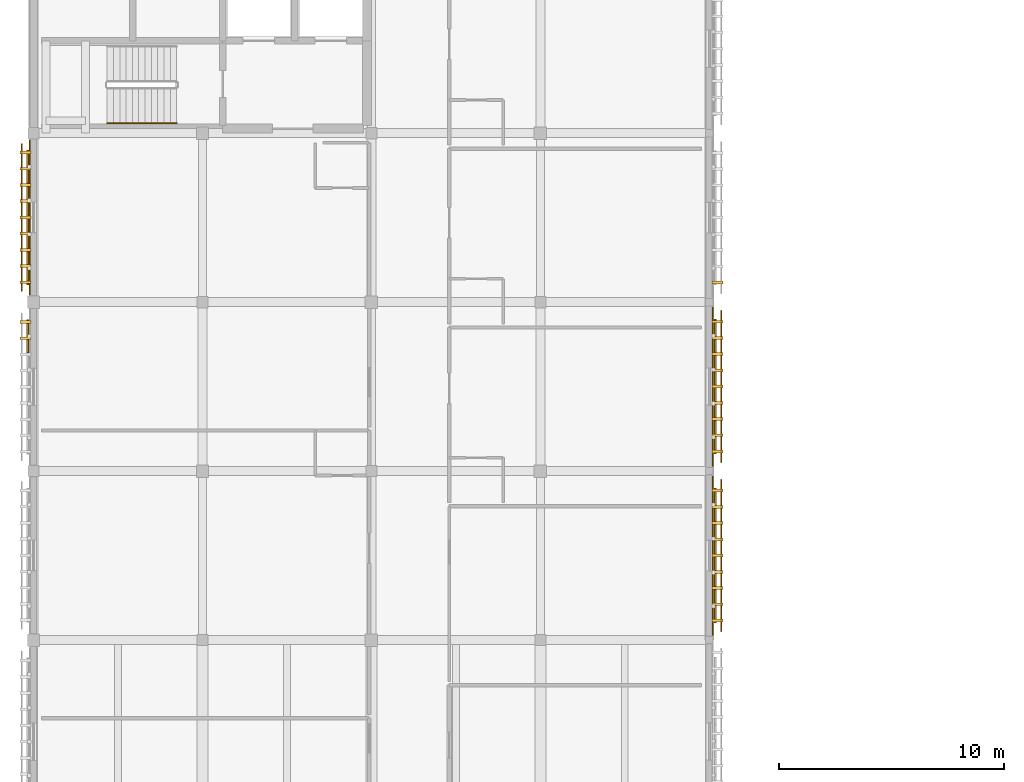
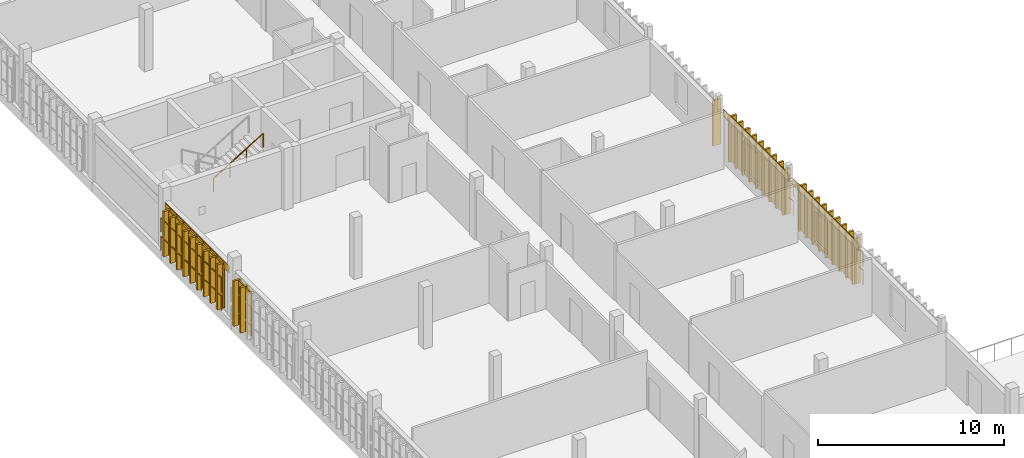
# One storey, part 15 of 17: 33 coverings, 13 shading devices, 7 railings.
"""IFC4 building model written with IfcOpenShell, lengths in metres."""

from ifc_helpers import new_model, si_unit, direction, frame, origin, origin_2d, place, context, subcontext, project, spatial, rectangle, circle, extrude, material, layer, layer_set, type_object, element, save


model = new_model("IFC4")

# Units and contexts
model_context = context("Model", 3, precision=1e-05, world=origin(), true_north=direction((0.0, 1.0)))
body_context = subcontext(model_context, "Body", "Model", "MODEL_VIEW")
ifc_project = project(units=[si_unit("LENGTHUNIT", "METRE"), si_unit("AREAUNIT", "SQUARE_METRE"), si_unit("VOLUMEUNIT", "CUBIC_METRE"), si_unit("PLANEANGLEUNIT", "RADIAN"), si_unit("MASSUNIT", "GRAM", prefix="KILO")], contexts=[model_context])

# Site, building, storey
site_placement = place(None, origin())
site = spatial("IfcSite", under=ifc_project, at=site_placement, CompositionType="ELEMENT")
building_placement = place(site_placement, origin())
building = spatial("IfcBuilding", under=site, at=building_placement, Name="Dalvernix Boulevard General Hospital", CompositionType="ELEMENT")
storey_placement = place(building_placement, frame((0.0, 0.0, 25.949951171875)))
storey = spatial("IfcBuildingStorey", under=building, at=storey_placement, Name="L06", CompositionType="ELEMENT", Elevation=25.949951171875)

# Coverings
ifc_material_1 = material(Name="Polychrome Catalan glazed ceramic spandrel tile panel")
ifc_layer_1 = layer(ifc_material_1, 0.044921875)
ifc_layer_set_1 = layer_set([ifc_layer_1], Name="Polychrome Catalan glazed ceramic spandrel tile panel (COV-CLD-01)")
covering_type_1 = type_object("IfcCoveringType", Name="COV-CLD-01", PredefinedType="CLADDING", material=ifc_layer_set_1)
covering_placement = place(storey_placement, frame((-0.159912109375, 50.262451171875, 2.6953125), z_axis=(0.0, 0.0, 1.0), x_axis=(0.0, 1.0, 0.0)))
element("IfcCovering", 1, at=covering_placement, inside=storey, type_object=covering_type_1, Name="L06 polychrome ceramic spandrel W 0-6", PredefinedType="CLADDING", context=body_context, shape_type="SweptSolid", body=[
    extrude(rectangle(XDim=6.85498046875, YDim=0.044921875, at=origin_2d()), origin(), (0.0, 0.0, 1.0), 0.449951171875),
])
for number, where, z_axis, x_axis, name in (
    (2, (30.159912109375, 35.25, 2.6953125), (0.0, 0.0, 1.0), (0.0, -1.0, 0.0), "L06 polychrome ceramic spandrel E 4-4"),
    (3, (30.159912109375, 42.75, 2.6953125), (0.0, 0.0, 1.0), (0.0, -1.0, 0.0), "L06 polychrome ceramic spandrel E 4-5"),
):
    element("IfcCovering", number, at=place(storey_placement, frame(where, z_axis=z_axis, x_axis=x_axis)), inside=storey, type_object=covering_type_1, Name=name, PredefinedType="CLADDING", context=body_context, shape_type="SweptSolid", body=[
        extrude(rectangle(XDim=7.06005859375, YDim=0.044921875, at=origin_2d()), origin(), (0.0, 0.0, 1.0), 0.449951171875),
    ])
ifc_material_2 = material(Name="Preservative-treated West African iroko timber lattice screen", Category="wood")
ifc_layer_2 = layer(ifc_material_2, 0.1201171875)
ifc_layer_set_2 = layer_set([ifc_layer_2], Name="Preservative-treated West African iroko timber lattice screen (COV-TSCR-01)")
covering_type_2 = type_object("IfcCoveringType", Name="COV-TSCR-01", PredefinedType="CLADDING", material=ifc_layer_set_2)
for number, where, z_axis, x_axis, name in (
    (4, (-0.360107421875, 44.8974609375, 0.10009765625), (0.0, 0.0, 1.0), (0.0, 1.0, 0.0), "L06 upper-ward timber screen blade W 0-5-8"),
    (5, (-0.360107421875, 45.617431640625, 0.10009765625), (0.0, 0.0, 1.0), (0.0, 1.0, 0.0), "L06 upper-ward timber screen blade W 0-5-9"),
    (6, (-0.360107421875, 47.382568359375, 0.10009765625), (0.0, 0.0, 1.0), (0.0, 1.0, 0.0), "L06 upper-ward timber screen blade W 0-6-1"),
    (7, (-0.360107421875, 48.1025390625, 0.10009765625), (0.0, 0.0, 1.0), (0.0, 1.0, 0.0), "L06 upper-ward timber screen blade W 0-6-2"),
    (8, (-0.360107421875, 48.822509765625, 0.10009765625), (0.0, 0.0, 1.0), (0.0, 1.0, 0.0), "L06 upper-ward timber screen blade W 0-6-3"),
    (9, (-0.360107421875, 49.54248046875, 0.10009765625), (0.0, 0.0, 1.0), (0.0, 1.0, 0.0), "L06 upper-ward timber screen blade W 0-6-4"),
    (10, (-0.360107421875, 50.262451171875, 0.10009765625), (0.0, 0.0, 1.0), (0.0, 1.0, 0.0), "L06 upper-ward timber screen blade W 0-6-5"),
    (11, (-0.360107421875, 50.982421875, 0.10009765625), (0.0, 0.0, 1.0), (0.0, 1.0, 0.0), "L06 upper-ward timber screen blade W 0-6-6"),
    (12, (-0.360107421875, 51.702392578125, 0.10009765625), (0.0, 0.0, 1.0), (0.0, 1.0, 0.0), "L06 upper-ward timber screen blade W 0-6-7"),
    (13, (-0.360107421875, 52.422607421875, 0.10009765625), (0.0, 0.0, 1.0), (0.0, 1.0, 0.0), "L06 upper-ward timber screen blade W 0-6-8"),
    (14, (-0.360107421875, 53.142578125, 0.10009765625), (0.0, 0.0, 1.0), (0.0, 1.0, 0.0), "L06 upper-ward timber screen blade W 0-6-9"),
    (15, (30.360107421875, 38.1298828125, 0.10009765625), (0.0, 0.0, 1.0), (0.0, -1.0, 0.0), "L06 upper-ward timber screen blade E 4-4-1"),
    (16, (30.360107421875, 37.409912109375, 0.10009765625), (0.0, 0.0, 1.0), (0.0, -1.0, 0.0), "L06 upper-ward timber screen blade E 4-4-2"),
    (17, (30.360107421875, 36.68994140625, 0.10009765625), (0.0, 0.0, 1.0), (0.0, -1.0, 0.0), "L06 upper-ward timber screen blade E 4-4-3"),
    (18, (30.360107421875, 35.969970703125, 0.10009765625), (0.0, 0.0, 1.0), (0.0, -1.0, 0.0), "L06 upper-ward timber screen blade E 4-4-4"),
    (19, (30.360107421875, 35.25, 0.10009765625), (0.0, 0.0, 1.0), (0.0, -1.0, 0.0), "L06 upper-ward timber screen blade E 4-4-5"),
    (20, (30.360107421875, 34.530029296875, 0.10009765625), (0.0, 0.0, 1.0), (0.0, -1.0, 0.0), "L06 upper-ward timber screen blade E 4-4-6"),
    (21, (30.360107421875, 33.81005859375, 0.10009765625), (0.0, 0.0, 1.0), (0.0, -1.0, 0.0), "L06 upper-ward timber screen blade E 4-4-7"),
    (22, (30.360107421875, 33.090087890625, 0.10009765625), (0.0, 0.0, 1.0), (0.0, -1.0, 0.0), "L06 upper-ward timber screen blade E 4-4-8"),
    (23, (30.360107421875, 32.3701171875, 0.10009765625), (0.0, 0.0, 1.0), (0.0, -1.0, 0.0), "L06 upper-ward timber screen blade E 4-4-9"),
    (24, (30.360107421875, 45.6298828125, 0.10009765625), (0.0, 0.0, 1.0), (0.0, -1.0, 0.0), "L06 upper-ward timber screen blade E 4-5-1"),
    (25, (30.360107421875, 44.909912109375, 0.10009765625), (0.0, 0.0, 1.0), (0.0, -1.0, 0.0), "L06 upper-ward timber screen blade E 4-5-2"),
    (26, (30.360107421875, 44.18994140625, 0.10009765625), (0.0, 0.0, 1.0), (0.0, -1.0, 0.0), "L06 upper-ward timber screen blade E 4-5-3"),
    (27, (30.360107421875, 43.469970703125, 0.10009765625), (0.0, 0.0, 1.0), (0.0, -1.0, 0.0), "L06 upper-ward timber screen blade E 4-5-4"),
    (28, (30.360107421875, 42.75, 0.10009765625), (0.0, 0.0, 1.0), (0.0, -1.0, 0.0), "L06 upper-ward timber screen blade E 4-5-5"),
    (29, (30.360107421875, 42.030029296875, 0.10009765625), (0.0, 0.0, 1.0), (0.0, -1.0, 0.0), "L06 upper-ward timber screen blade E 4-5-6"),
    (30, (30.360107421875, 41.31005859375, 0.10009765625), (0.0, 0.0, 1.0), (0.0, -1.0, 0.0), "L06 upper-ward timber screen blade E 4-5-7"),
    (31, (30.360107421875, 40.590087890625, 0.10009765625), (0.0, 0.0, 1.0), (0.0, -1.0, 0.0), "L06 upper-ward timber screen blade E 4-5-8"),
    (32, (30.360107421875, 39.8701171875, 0.10009765625), (0.0, 0.0, 1.0), (0.0, -1.0, 0.0), "L06 upper-ward timber screen blade E 4-5-9"),
    (33, (30.360107421875, 47.3701171875, 0.10009765625), (0.0, 0.0, 1.0), (0.0, -1.0, 0.0), "L06 upper-ward timber screen blade E 4-6-9"),
):
    element("IfcCovering", number, at=place(storey_placement, frame(where, z_axis=z_axis, x_axis=x_axis)), inside=storey, type_object=covering_type_2, Name=name, PredefinedType="CLADDING", context=body_context, shape_type="SweptSolid", body=[
        extrude(rectangle(XDim=0.1298828125, YDim=0.47998046875, at=origin_2d()), origin(), (0.0, 0.0, 1.0), 2.969970703125),
    ])

# Railings
ifc_material_3 = material(Name="Brushed stainless steel wall handrail", Category="steel")
railing_type_1 = type_object("IfcRailingType", Name="RL-HR-INT1", PredefinedType="HANDRAIL", material=ifc_material_3)
railing_placement = place(storey_placement, frame((3.27001953125, 54.449951171875, 2.19384765625)))
element("IfcRailing", 34, at=railing_placement, inside=storey, type_object=railing_type_1, Name="L06 ST-02 stair handrail 2", PredefinedType="HANDRAIL", context=body_context, shape_type="SweptSolid", body=[
    extrude(circle(Radius=0.02392578125, at=origin_2d()), frame((0.0, 0.0, 0.8759765625), z_axis=(0.856490936558, 0.0, 0.516162063304), x_axis=(0.0, 1.0, 0.0)), (0.0, 0.0, 1.0), 3.59619140625),
    extrude(circle(Radius=0.02099609375, at=origin_2d()), origin(), (0.0, 0.0, 1.0), 0.851806640625),
    extrude(circle(Radius=0.02099609375, at=origin_2d()), frame((1.026611328125, 0.0, 0.61865234375)), (0.0, 0.0, 1.0), 0.851806640625),
    extrude(circle(Radius=0.02099609375, at=origin_2d()), frame((2.053466796875, 0.0, 1.237548828125)), (0.0, 0.0, 1.0), 0.851806640625),
    extrude(circle(Radius=0.02099609375, at=origin_2d()), frame((3.080078125, 0.0, 1.856201171875)), (0.0, 0.0, 1.0), 0.851806640625),
])
ifc_material_4 = material(Name="Preservative-treated iroko timber horizontal screen louver rail", Category="wood")
railing_type_2 = type_object("IfcRailingType", Name="RL-TSCR-01", PredefinedType="BALUSTRADE", material=ifc_material_4)
for number, where, name in (
    (35, (-0.52001953125, 47.0048828125, 0.25), "L06 upper-ward horizontal timber screen louver W 0-6-1"),
    (36, (-0.52001953125, 47.0048828125, 1.449951171875), "L06 upper-ward horizontal timber screen louver W 0-6-2"),
):
    element("IfcRailing", number, at=place(storey_placement, frame(where)), inside=storey, type_object=railing_type_2, Name=name, PredefinedType="BALUSTRADE", context=body_context, shape_type="SweptSolid", body=[
        extrude(circle(Radius=0.02392578125, at=origin_2d()), frame((0.0, 0.0, 0.92578125), z_axis=(0.0, 1.0, 0.0), x_axis=(-1.0, 0.0, 0.0)), (0.0, 0.0, 1.0), 6.51513671875),
        extrude(circle(Radius=0.02099609375, at=origin_2d()), origin(), (0.0, 0.0, 1.0), 0.90185546875),
        extrude(circle(Radius=0.02099609375, at=origin_2d()), frame((0.0, 1.0859375, 0.0)), (0.0, 0.0, 1.0), 0.90185546875),
        extrude(circle(Radius=0.02099609375, at=origin_2d()), frame((0.0, 2.171630859375, 0.0)), (0.0, 0.0, 1.0), 0.90185546875),
        extrude(circle(Radius=0.02099609375, at=origin_2d()), frame((0.0, 3.257568359375, 0.0)), (0.0, 0.0, 1.0), 0.90185546875),
        extrude(circle(Radius=0.02099609375, at=origin_2d()), frame((0.0, 4.343505859375, 0.0)), (0.0, 0.0, 1.0), 0.90185546875),
        extrude(circle(Radius=0.02099609375, at=origin_2d()), frame((0.0, 5.42919921875, 0.0)), (0.0, 0.0, 1.0), 0.90185546875),
        extrude(circle(Radius=0.02099609375, at=origin_2d()), frame((0.0, 6.51513671875, 0.0)), (0.0, 0.0, 1.0), 0.90185546875),
    ])
for number, where, name in (
    (37, (30.52001953125, 38.610107421875, 0.25), "L06 upper-ward horizontal timber screen louver E 4-4-1"),
    (38, (30.52001953125, 38.610107421875, 1.449951171875), "L06 upper-ward horizontal timber screen louver E 4-4-2"),
    (39, (30.52001953125, 46.110107421875, 0.25), "L06 upper-ward horizontal timber screen louver E 4-5-1"),
    (40, (30.52001953125, 46.110107421875, 1.449951171875), "L06 upper-ward horizontal timber screen louver E 4-5-2"),
):
    element("IfcRailing", number, at=place(storey_placement, frame(where)), inside=storey, type_object=railing_type_2, Name=name, PredefinedType="BALUSTRADE", context=body_context, shape_type="SweptSolid", body=[
        extrude(circle(Radius=0.02392578125, at=origin_2d()), frame((0.0, 0.0, 0.92578125), z_axis=(0.0, -1.0, 0.0), x_axis=(1.0, 0.0, 0.0)), (0.0, 0.0, 1.0), 6.72021484375),
        extrude(circle(Radius=0.02099609375, at=origin_2d()), origin(), (0.0, 0.0, 1.0), 0.90185546875),
        extrude(circle(Radius=0.02099609375, at=origin_2d()), frame((0.0, -1.1201171875, 0.0)), (0.0, 0.0, 1.0), 0.90185546875),
        extrude(circle(Radius=0.02099609375, at=origin_2d()), frame((0.0, -2.239990234375, 0.0)), (0.0, 0.0, 1.0), 0.90185546875),
        extrude(circle(Radius=0.02099609375, at=origin_2d()), frame((0.0, -3.360107421875, 0.0)), (0.0, 0.0, 1.0), 0.90185546875),
        extrude(circle(Radius=0.02099609375, at=origin_2d()), frame((0.0, -4.480224609375, 0.0)), (0.0, 0.0, 1.0), 0.90185546875),
        extrude(circle(Radius=0.02099609375, at=origin_2d()), frame((0.0, -5.60009765625, 0.0)), (0.0, 0.0, 1.0), 0.90185546875),
        extrude(circle(Radius=0.02099609375, at=origin_2d()), frame((0.0, -6.72021484375, 0.0)), (0.0, 0.0, 1.0), 0.90185546875),
    ])

# Shading devices
ifc_material_5 = material(Name="Perforated iroko timber and glazed ceramic screen (30 percent open)", Category="wood")
shading_device_type = type_object("IfcShadingDeviceType", Name="SHD-SCR-01", PredefinedType="USERDEFINED", material=ifc_material_5)
for number, where, z_axis, x_axis, name in (
    (41, (-0.260009765625, 44.987548828125, 0.14990234375), (0.0, 0.0, 1.0), (0.0, 1.0, 0.0), "L06 perforated timber screen 4"),
    (42, (-0.260009765625, 48.012451171875, 0.14990234375), (0.0, 0.0, 1.0), (0.0, 1.0, 0.0), "L06 perforated timber screen 1"),
    (43, (-0.260009765625, 49.512451171875, 0.14990234375), (0.0, 0.0, 1.0), (0.0, 1.0, 0.0), "L06 perforated timber screen 2"),
    (44, (-0.260009765625, 51.012451171875, 0.14990234375), (0.0, 0.0, 1.0), (0.0, 1.0, 0.0), "L06 perforated timber screen 3"),
    (45, (-0.260009765625, 52.512451171875, 0.14990234375), (0.0, 0.0, 1.0), (0.0, 1.0, 0.0), "L06 perforated timber screen 4"),
    (46, (30.260009765625, 37.5, 0.14990234375), (0.0, 0.0, 1.0), (0.0, -1.0, 0.0), "L06 perforated timber screen 1"),
    (47, (30.260009765625, 36.0, 0.14990234375), (0.0, 0.0, 1.0), (0.0, -1.0, 0.0), "L06 perforated timber screen 2"),
    (48, (30.260009765625, 34.5, 0.14990234375), (0.0, 0.0, 1.0), (0.0, -1.0, 0.0), "L06 perforated timber screen 3"),
    (49, (30.260009765625, 33.0, 0.14990234375), (0.0, 0.0, 1.0), (0.0, -1.0, 0.0), "L06 perforated timber screen 4"),
    (50, (30.260009765625, 45.0, 0.14990234375), (0.0, 0.0, 1.0), (0.0, -1.0, 0.0), "L06 perforated timber screen 1"),
    (51, (30.260009765625, 43.5, 0.14990234375), (0.0, 0.0, 1.0), (0.0, -1.0, 0.0), "L06 perforated timber screen 2"),
    (52, (30.260009765625, 42.0, 0.14990234375), (0.0, 0.0, 1.0), (0.0, -1.0, 0.0), "L06 perforated timber screen 3"),
    (53, (30.260009765625, 40.5, 0.14990234375), (0.0, 0.0, 1.0), (0.0, -1.0, 0.0), "L06 perforated timber screen 4"),
):
    element("IfcShadingDevice", number, at=place(storey_placement, frame(where, z_axis=z_axis, x_axis=x_axis)), inside=storey, type_object=shading_device_type, Name=name, ObjectType="SCREEN", PredefinedType="USERDEFINED", context=body_context, shape_type="SweptSolid", body=[
        extrude(rectangle(XDim=1.4599609375, YDim=0.080078125, at=origin_2d()), origin(), (0.0, 0.0, 1.0), 2.8701171875),
    ])

save(model, "model.ifc")
